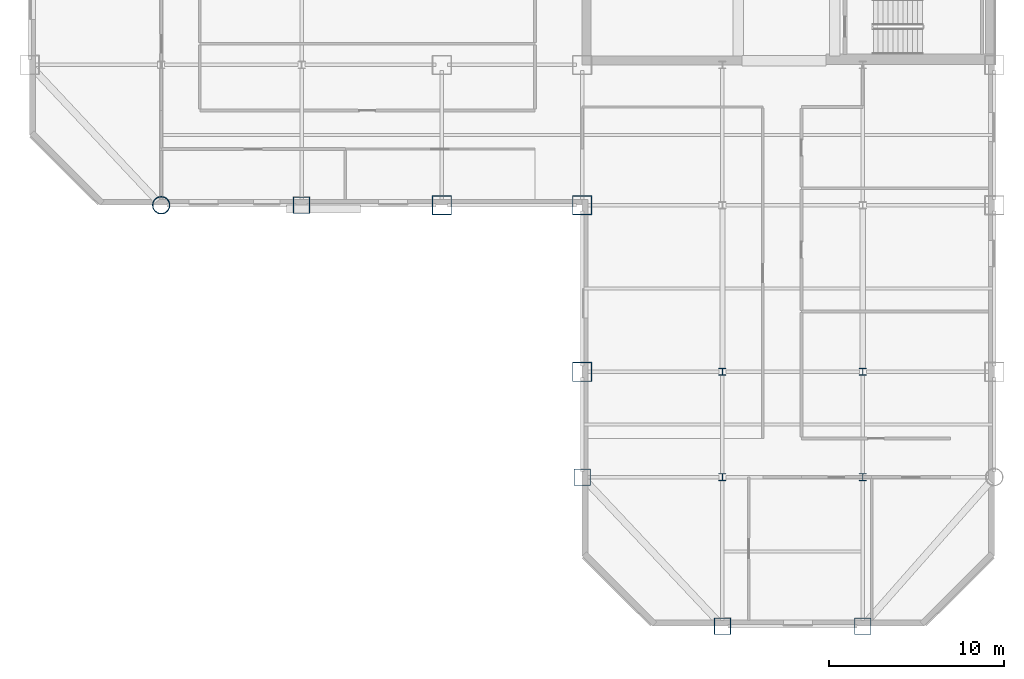
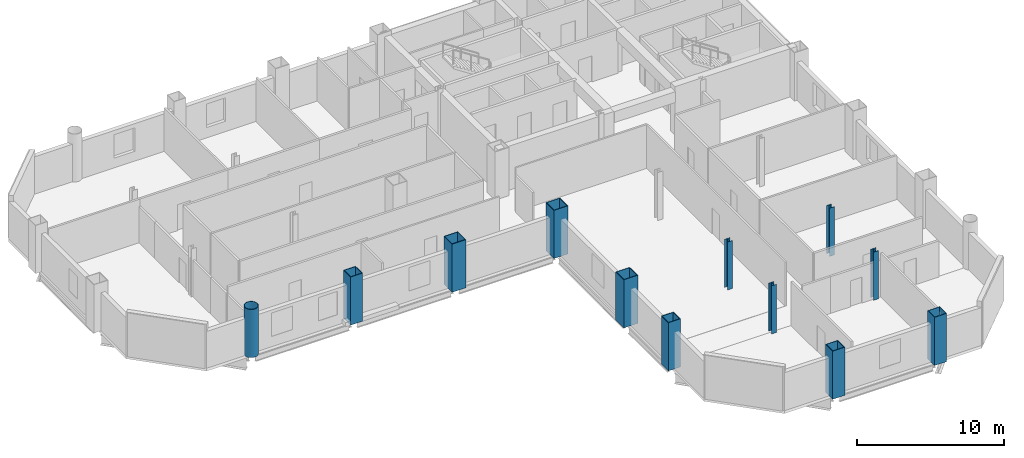
# One storey, part 1 of 10: 12 columns.
"""IFC4 building model written with IfcOpenShell, lengths in metres."""

from ifc_helpers import new_model, si_unit, direction, frame, origin, origin_2d, place, context, subcontext, project, spatial, hollow_rectangle, hollow_circle, i_section, extrude, material, material_profile, profile_set, type_object, element, save


model = new_model("IFC4")

# Units and contexts
model_context = context("Model", 3, precision=1e-05, world=origin(), true_north=direction((0.0, 1.0)))
body_context = subcontext(model_context, "Body", "Model", "MODEL_VIEW")
ifc_project = project(units=[si_unit("LENGTHUNIT", "METRE"), si_unit("AREAUNIT", "SQUARE_METRE"), si_unit("VOLUMEUNIT", "CUBIC_METRE"), si_unit("PLANEANGLEUNIT", "RADIAN"), si_unit("MASSUNIT", "GRAM", prefix="KILO")], contexts=[model_context])

# Site, building, storey
site_placement = place(None, origin())
site = spatial("IfcSite", under=ifc_project, at=site_placement, CompositionType="ELEMENT")
building_placement = place(site_placement, origin())
building = spatial("IfcBuilding", under=site, at=building_placement, Name="Qianrong Seaharbour Tower", CompositionType="ELEMENT")
storey_placement = place(building_placement, frame((0.0, 0.0, 191.0)))
storey = spatial("IfcBuildingStorey", under=building, at=storey_placement, Name="L46", CompositionType="ELEMENT", Elevation=191.0)

# Columns
ifc_material = material(Name="Structural steel SN490B", Category="steel")
ifc_material_profile_1 = material_profile(ifc_material, hollow_rectangle(XDim=1.10009765625, YDim=1.10009765625, WallThickness=0.0400390625, at=origin_2d()), Name="BOX1100x1100x40")
ifc_profile_set_1 = profile_set([ifc_material_profile_1], Name="Structural steel SN490B")
column_type_1 = type_object("IfcColumnType", Name="COL-CFT-1100", PredefinedType="COLUMN", material=ifc_profile_set_1)
for number, where, z_axis, x_axis, name in (
    (1, (32.5, 28.0, 0.0), (0.0, 0.0, 1.0), (1.0, 0.0, 0.0), "L46 Column MC-3 at G5/GE"),
    (2, (40.5, 18.5, 0.0), (0.0, 0.0, 1.0), (1.0, 0.0, 0.0), "L46 Column MC-3 at G6/GD"),
    (3, (40.5, 28.0, 0.0), (0.0, 0.0, 1.0), (1.0, 0.0, 0.0), "L46 Column MC-3 at G6/GE"),
):
    element("IfcColumn", number, at=place(storey_placement, frame(where, z_axis=z_axis, x_axis=x_axis)), inside=storey, type_object=column_type_1, Name=name, PredefinedType="COLUMN", context=body_context, shape_type="SweptSolid", body=[
        extrude(hollow_rectangle(XDim=1.10009765625, YDim=1.10009765625, WallThickness=0.0400390625, at=origin_2d()), origin(), (0.0, 0.0, 1.0), 4.0),
    ])
ifc_material_profile_2 = material_profile(ifc_material, hollow_circle(Radius=0.5, WallThickness=0.035888671875, at=origin_2d()), Name="CHS1000x36")
ifc_profile_set_2 = profile_set([ifc_material_profile_2], Name="Structural steel SN490B")
column_type_2 = type_object("IfcColumnType", Name="COL-CHS-1000", PredefinedType="COLUMN", material=ifc_profile_set_2)
column_placement = place(storey_placement, frame((16.5, 28.0, 0.0), z_axis=(0.0, 0.0, 1.0), x_axis=(1.0, 0.0, 0.0)))
element("IfcColumn", 4, at=column_placement, inside=storey, type_object=column_type_2, Name="L46 Column CC-2 at G3/GE", PredefinedType="COLUMN", context=body_context, shape_type="SweptSolid", body=[
    extrude(hollow_circle(Radius=0.5, WallThickness=0.035888671875, at=origin_2d()), origin(), (0.0, 0.0, 1.0), 4.0),
])
ifc_material_profile_3 = material_profile(ifc_material, i_section(OverallWidth=0.39990234375, OverallDepth=0.39990234375, WebThickness=0.012939453125, FlangeThickness=0.02099609375, FilletRadius=0.02197265625, at=origin_2d()), Name="H400x400x13x21")
ifc_profile_set_3 = profile_set([ifc_material_profile_3], Name="Structural steel SN490B")
column_type_3 = type_object("IfcColumnType", Name="COL-INT-H400", PredefinedType="COLUMN", material=ifc_profile_set_3)
for number, where, z_axis, x_axis, name in (
    (5, (48.5, 12.5, 0.0), (0.0, 0.0, 1.0), (1.0, 0.0, 0.0), "L46 Column IC-3 at G7/GC"),
    (6, (48.5, 18.5, 0.0), (0.0, 0.0, 1.0), (1.0, 0.0, 0.0), "L46 Column IC-3 at G7/GD"),
    (7, (56.5, 12.5, 0.0), (0.0, 0.0, 1.0), (1.0, 0.0, 0.0), "L46 Column IC-3 at G8/GC"),
    (8, (56.5, 18.5, 0.0), (0.0, 0.0, 1.0), (1.0, 0.0, 0.0), "L46 Column IC-3 at G8/GD"),
):
    element("IfcColumn", number, at=place(storey_placement, frame(where, z_axis=z_axis, x_axis=x_axis)), inside=storey, type_object=column_type_3, Name=name, PredefinedType="COLUMN", context=body_context, shape_type="SweptSolid", body=[
        extrude(i_section(OverallWidth=0.39990234375, OverallDepth=0.39990234375, WebThickness=0.012939453125, FlangeThickness=0.02099609375, FilletRadius=0.02197265625, at=origin_2d()), origin(), (0.0, 0.0, 1.0), 4.0),
    ])
ifc_material_profile_4 = material_profile(ifc_material, hollow_rectangle(XDim=0.949951171875, YDim=0.949951171875, WallThickness=0.035888671875, at=origin_2d()), Name="BOX950x950x36")
ifc_profile_set_4 = profile_set([ifc_material_profile_4], Name="Structural steel SN490B")
column_type_4 = type_object("IfcColumnType", Name="COL-PER-950", PredefinedType="COLUMN", material=ifc_profile_set_4)
for number, where, z_axis, x_axis, name in (
    (9, (24.5, 28.0, 0.0), (0.0, 0.0, 1.0), (1.0, 0.0, 0.0), "L46 Column PC-2 at G4/GE"),
    (10, (40.5, 12.5, 0.0), (0.0, 0.0, 1.0), (1.0, 0.0, 0.0), "L46 Column PC-2 at G6/GC"),
    (11, (48.5, 4.0, 0.0), (0.0, 0.0, 1.0), (1.0, 0.0, 0.0), "L46 Column PC-2 at G7/GB"),
    (12, (56.5, 4.0, 0.0), (0.0, 0.0, 1.0), (1.0, 0.0, 0.0), "L46 Column PC-2 at G8/GB"),
):
    element("IfcColumn", number, at=place(storey_placement, frame(where, z_axis=z_axis, x_axis=x_axis)), inside=storey, type_object=column_type_4, Name=name, PredefinedType="COLUMN", context=body_context, shape_type="SweptSolid", body=[
        extrude(hollow_rectangle(XDim=0.949951171875, YDim=0.949951171875, WallThickness=0.035888671875, at=origin_2d()), origin(), (0.0, 0.0, 1.0), 4.0),
    ])

save(model, "model.ifc")
